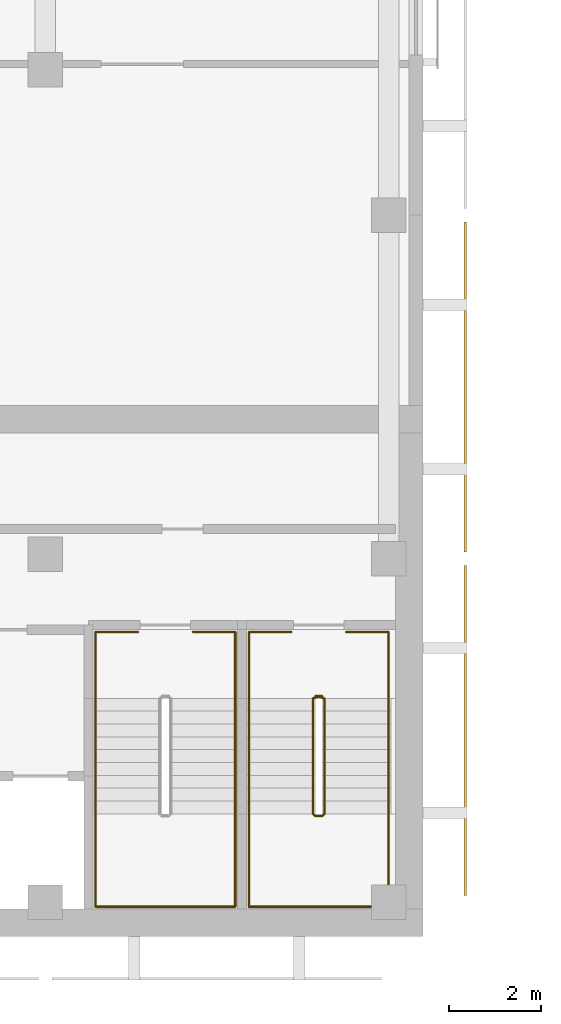
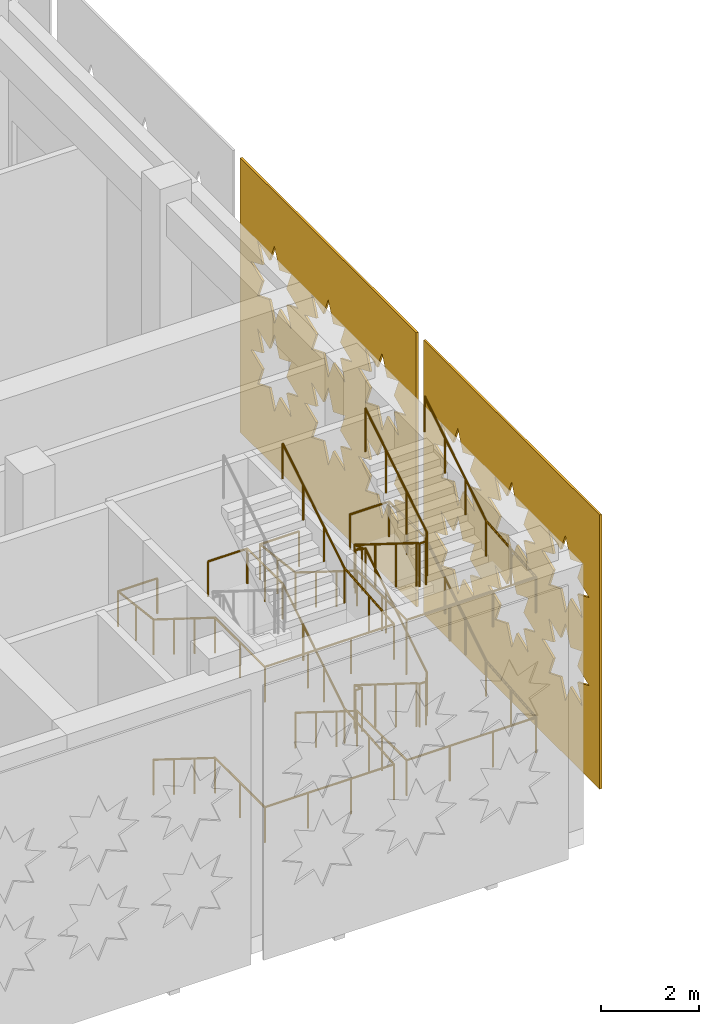
# One storey, part 32 of 42: 5 railings, 2 coverings.
"""IFC4 building model written with IfcOpenShell, lengths in metres."""

from ifc_helpers import new_model, si_unit, direction, frame, origin, origin_2d, place, context, subcontext, project, spatial, polyline, circle, outline, extrude, material, layer, layer_set, type_object, element, save


model = new_model("IFC4")

# Units and contexts
model_context = context("Model", 3, precision=1e-05, world=origin(), true_north=direction((0.0, 1.0)))
body_context = subcontext(model_context, "Body", "Model", "MODEL_VIEW")
ifc_project = project(units=[si_unit("LENGTHUNIT", "METRE"), si_unit("AREAUNIT", "SQUARE_METRE"), si_unit("VOLUMEUNIT", "CUBIC_METRE"), si_unit("PLANEANGLEUNIT", "RADIAN"), si_unit("MASSUNIT", "GRAM", prefix="KILO")], contexts=[model_context])

# Site, building, storey
site_placement = place(None, origin())
site = spatial("IfcSite", under=ifc_project, at=site_placement, CompositionType="ELEMENT")
building_placement = place(site_placement, origin())
building = spatial("IfcBuilding", under=site, at=building_placement, Name="Tessera Arch", CompositionType="ELEMENT")
storey_placement = place(building_placement, frame((0.0, 0.0, 14.0)))
storey = spatial("IfcBuildingStorey", under=building, at=storey_placement, Name="L02", CompositionType="ELEMENT", Elevation=14.0)

# Coverings
ifc_material_1 = material(Name="Anodised aluminium pale metal", Category="aluminium")
ifc_layer = layer(ifc_material_1, 0.050048828125)
ifc_layer_set = layer_set([ifc_layer], Name="Museum lattice skin panel")
covering_type = type_object("IfcCoveringType", Name="Museum lattice skin panel", PredefinedType="CLADDING", material=ifc_layer_set)
covering_1_placement = place(storey_placement, frame((14.85009765625, -31.64990234375, 6.949951171875), z_axis=(-1.0, 0.0, 0.0), x_axis=(0.0, 1.0, 0.0)))
element("IfcCovering", 1, at=covering_1_placement, inside=storey, type_object=covering_type, Name="Museum lattice skin L02 2-2", PredefinedType="CLADDING", context=body_context, shape_type="SweptSolid", body=[
    extrude(outline(polyline([(0.0, 0.0), (7.199951171875, 0.0), (7.199951171875, 6.849853515625), (0.0, 6.849853515625), (0.0, 0.0)]), holes=[polyline([(2.367919921875, 4.52490234375), (1.887939453125, 4.322998046875), (2.083984375, 3.841064453125), (1.601806640625, 4.036865234375), (1.39990234375, 3.556884765625), (1.197998046875, 4.036865234375), (0.7158203125, 3.841064453125), (0.911865234375, 4.322998046875), (0.431884765625, 4.52490234375), (0.911865234375, 4.72705078125), (0.7158203125, 5.208984375), (1.197998046875, 5.012939453125), (1.39990234375, 5.492919921875), (1.601806640625, 5.012939453125), (2.083984375, 5.208984375), (1.887939453125, 4.72705078125), (2.367919921875, 4.52490234375)]), polyline([(2.367919921875, 2.324951171875), (1.887939453125, 2.123046875), (2.083984375, 1.640869140625), (1.601806640625, 1.8369140625), (1.39990234375, 1.35693359375), (1.197998046875, 1.8369140625), (0.7158203125, 1.640869140625), (0.911865234375, 2.123046875), (0.431884765625, 2.324951171875), (0.911865234375, 2.52685546875), (0.7158203125, 3.009033203125), (1.197998046875, 2.81298828125), (1.39990234375, 3.29296875), (1.601806640625, 2.81298828125), (2.083984375, 3.009033203125), (1.887939453125, 2.52685546875), (2.367919921875, 2.324951171875)]), polyline([(4.56787109375, 4.52490234375), (4.087890625, 4.322998046875), (4.283935546875, 3.841064453125), (3.802001953125, 4.036865234375), (3.599853515625, 3.556884765625), (3.39794921875, 4.036865234375), (2.916015625, 3.841064453125), (3.11181640625, 4.322998046875), (2.6318359375, 4.52490234375), (3.11181640625, 4.72705078125), (2.916015625, 5.208984375), (3.39794921875, 5.012939453125), (3.599853515625, 5.492919921875), (3.802001953125, 5.012939453125), (4.283935546875, 5.208984375), (4.087890625, 4.72705078125), (4.56787109375, 4.52490234375)]), polyline([(4.56787109375, 2.324951171875), (4.087890625, 2.123046875), (4.283935546875, 1.640869140625), (3.802001953125, 1.8369140625), (3.599853515625, 1.35693359375), (3.39794921875, 1.8369140625), (2.916015625, 1.640869140625), (3.11181640625, 2.123046875), (2.6318359375, 2.324951171875), (3.11181640625, 2.52685546875), (2.916015625, 3.009033203125), (3.39794921875, 2.81298828125), (3.599853515625, 3.29296875), (3.802001953125, 2.81298828125), (4.283935546875, 3.009033203125), (4.087890625, 2.52685546875), (4.56787109375, 2.324951171875)]), polyline([(6.767822265625, 4.52490234375), (6.287841796875, 4.322998046875), (6.48388671875, 3.841064453125), (6.001953125, 4.036865234375), (5.7998046875, 3.556884765625), (5.597900390625, 4.036865234375), (5.115966796875, 3.841064453125), (5.31201171875, 4.322998046875), (4.831787109375, 4.52490234375), (5.31201171875, 4.72705078125), (5.115966796875, 5.208984375), (5.597900390625, 5.012939453125), (5.7998046875, 5.492919921875), (6.001953125, 5.012939453125), (6.48388671875, 5.208984375), (6.287841796875, 4.72705078125), (6.767822265625, 4.52490234375)]), polyline([(6.767822265625, 2.324951171875), (6.287841796875, 2.123046875), (6.48388671875, 1.640869140625), (6.001953125, 1.8369140625), (5.7998046875, 1.35693359375), (5.597900390625, 1.8369140625), (5.115966796875, 1.640869140625), (5.31201171875, 2.123046875), (4.831787109375, 2.324951171875), (5.31201171875, 2.52685546875), (5.115966796875, 3.009033203125), (5.597900390625, 2.81298828125), (5.7998046875, 3.29296875), (6.001953125, 2.81298828125), (6.48388671875, 3.009033203125), (6.287841796875, 2.52685546875), (6.767822265625, 2.324951171875)])]), origin(), (0.0, 0.0, -1.0), 0.050048828125),
])
covering_2_placement = place(storey_placement, frame((14.85009765625, -24.14990234375, 6.949951171875), z_axis=(-1.0, 0.0, 0.0), x_axis=(0.0, 1.0, 0.0)))
element("IfcCovering", 2, at=covering_2_placement, inside=storey, type_object=covering_type, Name="Museum lattice skin L02 2-3", PredefinedType="CLADDING", context=body_context, shape_type="SweptSolid", body=[
    extrude(outline(polyline([(0.0, 0.0), (7.199951171875, 0.0), (7.199951171875, 6.849853515625), (0.0, 6.849853515625), (0.0, 0.0)]), holes=[polyline([(2.367919921875, 4.52490234375), (1.887939453125, 4.322998046875), (2.083984375, 3.841064453125), (1.601806640625, 4.036865234375), (1.39990234375, 3.556884765625), (1.197998046875, 4.036865234375), (0.7158203125, 3.841064453125), (0.911865234375, 4.322998046875), (0.431884765625, 4.52490234375), (0.911865234375, 4.72705078125), (0.7158203125, 5.208984375), (1.197998046875, 5.012939453125), (1.39990234375, 5.492919921875), (1.601806640625, 5.012939453125), (2.083984375, 5.208984375), (1.887939453125, 4.72705078125), (2.367919921875, 4.52490234375)]), polyline([(2.367919921875, 2.324951171875), (1.887939453125, 2.123046875), (2.083984375, 1.640869140625), (1.601806640625, 1.8369140625), (1.39990234375, 1.35693359375), (1.197998046875, 1.8369140625), (0.7158203125, 1.640869140625), (0.911865234375, 2.123046875), (0.431884765625, 2.324951171875), (0.911865234375, 2.52685546875), (0.7158203125, 3.009033203125), (1.197998046875, 2.81298828125), (1.39990234375, 3.29296875), (1.601806640625, 2.81298828125), (2.083984375, 3.009033203125), (1.887939453125, 2.52685546875), (2.367919921875, 2.324951171875)]), polyline([(4.56787109375, 4.52490234375), (4.087890625, 4.322998046875), (4.283935546875, 3.841064453125), (3.802001953125, 4.036865234375), (3.599853515625, 3.556884765625), (3.39794921875, 4.036865234375), (2.916015625, 3.841064453125), (3.11181640625, 4.322998046875), (2.6318359375, 4.52490234375), (3.11181640625, 4.72705078125), (2.916015625, 5.208984375), (3.39794921875, 5.012939453125), (3.599853515625, 5.492919921875), (3.802001953125, 5.012939453125), (4.283935546875, 5.208984375), (4.087890625, 4.72705078125), (4.56787109375, 4.52490234375)]), polyline([(4.56787109375, 2.324951171875), (4.087890625, 2.123046875), (4.283935546875, 1.640869140625), (3.802001953125, 1.8369140625), (3.599853515625, 1.35693359375), (3.39794921875, 1.8369140625), (2.916015625, 1.640869140625), (3.11181640625, 2.123046875), (2.6318359375, 2.324951171875), (3.11181640625, 2.52685546875), (2.916015625, 3.009033203125), (3.39794921875, 2.81298828125), (3.599853515625, 3.29296875), (3.802001953125, 2.81298828125), (4.283935546875, 3.009033203125), (4.087890625, 2.52685546875), (4.56787109375, 2.324951171875)]), polyline([(6.767822265625, 4.52490234375), (6.287841796875, 4.322998046875), (6.48388671875, 3.841064453125), (6.001953125, 4.036865234375), (5.7998046875, 3.556884765625), (5.597900390625, 4.036865234375), (5.115966796875, 3.841064453125), (5.31201171875, 4.322998046875), (4.831787109375, 4.52490234375), (5.31201171875, 4.72705078125), (5.115966796875, 5.208984375), (5.597900390625, 5.012939453125), (5.7998046875, 5.492919921875), (6.001953125, 5.012939453125), (6.48388671875, 5.208984375), (6.287841796875, 4.72705078125), (6.767822265625, 4.52490234375)]), polyline([(6.767822265625, 2.324951171875), (6.287841796875, 2.123046875), (6.48388671875, 1.640869140625), (6.001953125, 1.8369140625), (5.7998046875, 1.35693359375), (5.597900390625, 1.8369140625), (5.115966796875, 1.640869140625), (5.31201171875, 2.123046875), (4.831787109375, 2.324951171875), (5.31201171875, 2.52685546875), (5.115966796875, 3.009033203125), (5.597900390625, 2.81298828125), (5.7998046875, 3.29296875), (6.001953125, 2.81298828125), (6.48388671875, 3.009033203125), (6.287841796875, 2.52685546875), (6.767822265625, 2.324951171875)])]), origin(), (0.0, 0.0, -1.0), 0.050048828125),
])

# Railings
ifc_material_2 = material(Name="Painted steel balustrade", Category="steel")
railing_type_1 = type_object("IfcRailingType", Name="Stair guard 1100", PredefinedType="GUARDRAIL", material=ifc_material_2)
railing_1_placement = place(storey_placement, frame((11.60009765625, -27.300048828125, 0.0)))
element("IfcRailing", 3, at=railing_1_placement, inside=storey, type_object=railing_type_1, Name="L02 M3a stair guard 1", PredefinedType="GUARDRAIL", context=body_context, shape_type="SweptSolid", body=[
    extrude(circle(Radius=0.02392578125, at=origin_2d()), frame((-0.00390625, 0.0, 1.076171875), z_axis=(1.0, 0.0, 0.0), x_axis=(0.0, 1.0, 0.0)), (0.0, 0.0, 1.0), 0.157958984375),
    extrude(circle(Radius=0.02392578125, at=origin_2d()), frame((0.15283203125, 0.000732421875, 1.073486328125), z_axis=(-0.739407315901, -0.185077533284, 0.647319957877), x_axis=(0.242814311512, -0.970072785993, 0.0)), (0.0, 0.0, 1.0), 0.2783203125),
    extrude(circle(Radius=0.02392578125, at=origin_2d()), frame((-0.050048828125, -0.046630859375, 1.2490234375), z_axis=(0.0, -0.848007534815, 0.529984170421), x_axis=(1.0, 0.0, 0.0)), (0.0, 0.0, 1.0), 2.979736328125),
    extrude(circle(Radius=0.02392578125, at=origin_2d()), frame((-0.052978515625, -2.567138671875, 2.826171875), z_axis=(0.708833529934, -0.705375805398, 0.0), x_axis=(0.705375805398, 0.708833529934, 0.0)), (0.0, 0.0, 1.0), 0.07861328125),
    extrude(circle(Radius=0.02392578125, at=origin_2d()), frame((-0.00390625, -2.619873046875, 2.826171875), z_axis=(1.0, 0.0, 0.0), x_axis=(0.0, 1.0, 0.0)), (0.0, 0.0, 1.0), 0.157958984375),
    extrude(circle(Radius=0.02392578125, at=origin_2d()), frame((0.14892578125, -2.620849609375, 2.822265625), z_axis=(0.265155923931, 0.263862480399, 0.927399011991), x_axis=(-0.705375805398, 0.708833529934, 0.0)), (0.0, 0.0, 1.0), 0.19677734375),
    extrude(circle(Radius=0.02392578125, at=origin_2d()), frame((0.199951171875, -2.573486328125, 2.9990234375), z_axis=(0.0, 0.848007534815, 0.529984170421), x_axis=(-1.0, 0.0, 0.0)), (0.0, 0.0, 1.0), 2.979736328125),
    extrude(circle(Radius=0.02392578125, at=origin_2d()), frame((0.203857421875, -0.051025390625, 4.576171875), z_axis=(-0.970072785993, 0.242814311512, 0.0), x_axis=(-0.242814311512, -0.970072785993, 0.0)), (0.0, 0.0, 1.0), 0.214111328125),
    extrude(circle(Radius=0.02392578125, at=origin_2d()), frame((-0.00390625, 0.0, 4.576171875), z_axis=(1.0, 0.0, 0.0), x_axis=(0.0, 1.0, 0.0)), (0.0, 0.0, 1.0), 0.157958984375),
    extrude(circle(Radius=0.02392578125, at=origin_2d()), frame((0.15283203125, 0.000732421875, 4.573486328125), z_axis=(-0.739407315901, -0.185077533284, 0.647319957877), x_axis=(0.242814311512, -0.970072785993, 0.0)), (0.0, 0.0, 1.0), 0.2783203125),
    extrude(circle(Radius=0.02392578125, at=origin_2d()), frame((-0.050048828125, -0.046630859375, 4.7490234375), z_axis=(0.0, -0.848007534815, 0.529984170421), x_axis=(1.0, 0.0, 0.0)), (0.0, 0.0, 1.0), 2.979736328125),
    extrude(circle(Radius=0.02392578125, at=origin_2d()), frame((-0.052978515625, -2.567138671875, 6.326171875), z_axis=(0.708833529934, -0.705375805398, 0.0), x_axis=(0.705375805398, 0.708833529934, 0.0)), (0.0, 0.0, 1.0), 0.07861328125),
    extrude(circle(Radius=0.02392578125, at=origin_2d()), frame((-0.00390625, -2.619873046875, 6.326171875), z_axis=(1.0, 0.0, 0.0), x_axis=(0.0, 1.0, 0.0)), (0.0, 0.0, 1.0), 0.157958984375),
    extrude(circle(Radius=0.02392578125, at=origin_2d()), frame((0.14892578125, -2.620849609375, 6.322265625), z_axis=(0.265155923931, 0.263862480399, 0.927399011991), x_axis=(-0.705375805398, 0.708833529934, 0.0)), (0.0, 0.0, 1.0), 0.19677734375),
    extrude(circle(Radius=0.02392578125, at=origin_2d()), frame((0.199951171875, -2.573486328125, 6.4990234375), z_axis=(0.0, 0.848007534815, 0.529984170421), x_axis=(-1.0, 0.0, 0.0)), (0.0, 0.0, 1.0), 2.979736328125),
    extrude(circle(Radius=0.02099609375, at=origin_2d()), origin(), (0.0, 0.0, 1.0), 1.06396484375),
    extrude(circle(Radius=0.02099609375, at=origin_2d()), frame((0.14990234375, 0.0, 0.0)), (0.0, 0.0, 1.0), 1.06396484375),
    extrude(circle(Radius=0.02099609375, at=origin_2d()), frame((-0.050048828125, -0.050048828125, 0.175048828125)), (0.0, 0.0, 1.0), 1.06396484375),
    extrude(circle(Radius=0.02099609375, at=origin_2d()), frame((-0.050048828125, -0.89013671875, 0.699951171875)), (0.0, 0.0, 1.0), 1.06396484375),
    extrude(circle(Radius=0.02099609375, at=origin_2d()), frame((-0.050048828125, -1.72998046875, 1.22509765625)), (0.0, 0.0, 1.0), 1.06396484375),
    extrude(circle(Radius=0.02099609375, at=origin_2d()), frame((-0.050048828125, -2.570068359375, 1.75)), (0.0, 0.0, 1.0), 1.06396484375),
    extrude(circle(Radius=0.02099609375, at=origin_2d()), frame((0.0, -2.619873046875, 1.75)), (0.0, 0.0, 1.0), 1.06396484375),
    extrude(circle(Radius=0.02099609375, at=origin_2d()), frame((0.14990234375, -2.619873046875, 1.75)), (0.0, 0.0, 1.0), 1.06396484375),
    extrude(circle(Radius=0.02099609375, at=origin_2d()), frame((0.199951171875, -2.570068359375, 1.925048828125)), (0.0, 0.0, 1.0), 1.06396484375),
    extrude(circle(Radius=0.02099609375, at=origin_2d()), frame((0.199951171875, -1.72998046875, 2.449951171875)), (0.0, 0.0, 1.0), 1.06396484375),
    extrude(circle(Radius=0.02099609375, at=origin_2d()), frame((0.199951171875, -0.89013671875, 2.97509765625)), (0.0, 0.0, 1.0), 1.06396484375),
    extrude(circle(Radius=0.02099609375, at=origin_2d()), frame((0.199951171875, -0.050048828125, 3.5)), (0.0, 0.0, 1.0), 1.06396484375),
    extrude(circle(Radius=0.02099609375, at=origin_2d()), frame((0.0, 0.0, 3.5)), (0.0, 0.0, 1.0), 1.06396484375),
    extrude(circle(Radius=0.02099609375, at=origin_2d()), frame((0.14990234375, 0.0, 3.5)), (0.0, 0.0, 1.0), 1.06396484375),
    extrude(circle(Radius=0.02099609375, at=origin_2d()), frame((-0.050048828125, -0.050048828125, 3.675048828125)), (0.0, 0.0, 1.0), 1.06396484375),
    extrude(circle(Radius=0.02099609375, at=origin_2d()), frame((-0.050048828125, -0.89013671875, 4.199951171875)), (0.0, 0.0, 1.0), 1.06396484375),
    extrude(circle(Radius=0.02099609375, at=origin_2d()), frame((-0.050048828125, -1.72998046875, 4.72509765625)), (0.0, 0.0, 1.0), 1.06396484375),
    extrude(circle(Radius=0.02099609375, at=origin_2d()), frame((-0.050048828125, -2.570068359375, 5.25)), (0.0, 0.0, 1.0), 1.06396484375),
    extrude(circle(Radius=0.02099609375, at=origin_2d()), frame((0.0, -2.619873046875, 5.25)), (0.0, 0.0, 1.0), 1.06396484375),
    extrude(circle(Radius=0.02099609375, at=origin_2d()), frame((0.14990234375, -2.619873046875, 5.25)), (0.0, 0.0, 1.0), 1.06396484375),
    extrude(circle(Radius=0.02099609375, at=origin_2d()), frame((0.199951171875, -2.570068359375, 5.425048828125)), (0.0, 0.0, 1.0), 1.06396484375),
    extrude(circle(Radius=0.02099609375, at=origin_2d()), frame((0.199951171875, -1.72998046875, 5.949951171875)), (0.0, 0.0, 1.0), 1.06396484375),
    extrude(circle(Radius=0.02099609375, at=origin_2d()), frame((0.199951171875, -0.89013671875, 6.47509765625)), (0.0, 0.0, 1.0), 1.06396484375),
    extrude(circle(Radius=0.02099609375, at=origin_2d()), frame((0.199951171875, -0.050048828125, 7.0)), (0.0, 0.0, 1.0), 1.06396484375),
])
ifc_material_3 = material(Name="Painted steel handrail", Category="steel")
railing_type_2 = type_object("IfcRailingType", Name="Stair handrail 900", PredefinedType="HANDRAIL", material=ifc_material_3)
railing_2_placement = place(storey_placement, frame((10.14990234375, -27.35009765625, 0.175048828125)))
element("IfcRailing", 4, at=railing_2_placement, inside=storey, type_object=railing_type_2, Name="L02 M3a stair handrail", PredefinedType="HANDRAIL", context=body_context, shape_type="SweptSolid", body=[
    extrude(circle(Radius=0.02392578125, at=origin_2d()), frame((0.0, 0.00341796875, 0.873779296875), z_axis=(0.0, -0.848007534815, 0.529984170421), x_axis=(1.0, 0.0, 0.0)), (0.0, 0.0, 1.0), 2.979736328125),
    extrude(circle(Radius=0.02392578125, at=origin_2d()), frame((0.0, -2.51611328125, 2.45068359375), z_axis=(0.0, -1.0, 0.0), x_axis=(1.0, 0.0, 0.0)), (0.0, 0.0, 1.0), 2.037841796875),
    extrude(circle(Radius=0.02392578125, at=origin_2d()), frame((-0.00390625, -4.5498046875, 2.45068359375), z_axis=(1.0, 0.0, 0.0), x_axis=(0.0, 1.0, 0.0)), (0.0, 0.0, 1.0), 3.05810546875),
    extrude(circle(Radius=0.02392578125, at=origin_2d()), frame((3.050048828125, -4.5537109375, 2.450439453125), z_axis=(0.0, 0.996301939653, 0.08592115597), x_axis=(-1.0, 0.0, 0.0)), (0.0, 0.0, 1.0), 2.04541015625),
    extrude(circle(Radius=0.02392578125, at=origin_2d()), frame((3.050048828125, -2.5234375, 2.623779296875), z_axis=(0.0, 0.848007534815, 0.529984170421), x_axis=(-1.0, 0.0, 0.0)), (0.0, 0.0, 1.0), 2.979736328125),
    extrude(circle(Radius=0.02392578125, at=origin_2d()), frame((3.050048828125, -0.00390625, 4.20068359375), z_axis=(0.0, 1.0, 0.0), x_axis=(-1.0, 0.0, 0.0)), (0.0, 0.0, 1.0), 1.458251953125),
    extrude(circle(Radius=0.02392578125, at=origin_2d()), frame((3.053955078125, 1.4501953125, 4.20068359375), z_axis=(-1.0, 0.0, 0.0), x_axis=(0.0, -1.0, 0.0)), (0.0, 0.0, 1.0), 0.93310546875),
    extrude(circle(Radius=0.02099609375, at=origin_2d()), origin(), (0.0, 0.0, 1.0), 0.86376953125),
    extrude(circle(Radius=0.02099609375, at=origin_2d()), frame((0.0, -0.840087890625, 0.52490234375)), (0.0, 0.0, 1.0), 0.86376953125),
    extrude(circle(Radius=0.02099609375, at=origin_2d()), frame((0.0, -1.679931640625, 1.050048828125)), (0.0, 0.0, 1.0), 0.86376953125),
    extrude(circle(Radius=0.02099609375, at=origin_2d()), frame((0.0, -2.52001953125, 1.574951171875)), (0.0, 0.0, 1.0), 0.86376953125),
    extrude(circle(Radius=0.02099609375, at=origin_2d()), frame((0.0, -3.534912109375, 1.574951171875)), (0.0, 0.0, 1.0), 0.86376953125),
    extrude(circle(Radius=0.02099609375, at=origin_2d()), frame((0.0, -4.5498046875, 1.574951171875)), (0.0, 0.0, 1.0), 0.86376953125),
    extrude(circle(Radius=0.02099609375, at=origin_2d()), frame((1.0166015625, -4.5498046875, 1.574951171875)), (0.0, 0.0, 1.0), 0.86376953125),
    extrude(circle(Radius=0.02099609375, at=origin_2d()), frame((2.033447265625, -4.5498046875, 1.574951171875)), (0.0, 0.0, 1.0), 0.86376953125),
    extrude(circle(Radius=0.02099609375, at=origin_2d()), frame((3.050048828125, -4.5498046875, 1.574951171875)), (0.0, 0.0, 1.0), 0.86376953125),
    extrude(circle(Radius=0.02099609375, at=origin_2d()), frame((3.050048828125, -3.534912109375, 1.66259765625)), (0.0, 0.0, 1.0), 0.86376953125),
    extrude(circle(Radius=0.02099609375, at=origin_2d()), frame((3.050048828125, -2.52001953125, 1.75)), (0.0, 0.0, 1.0), 0.86376953125),
    extrude(circle(Radius=0.02099609375, at=origin_2d()), frame((3.050048828125, -1.679931640625, 2.27490234375)), (0.0, 0.0, 1.0), 0.86376953125),
    extrude(circle(Radius=0.02099609375, at=origin_2d()), frame((3.050048828125, -0.840087890625, 2.800048828125)), (0.0, 0.0, 1.0), 0.86376953125),
    extrude(circle(Radius=0.02099609375, at=origin_2d()), frame((3.050048828125, 0.0, 3.324951171875)), (0.0, 0.0, 1.0), 0.86376953125),
    extrude(circle(Radius=0.02099609375, at=origin_2d()), frame((3.050048828125, 0.72509765625, 3.324951171875)), (0.0, 0.0, 1.0), 0.86376953125),
    extrude(circle(Radius=0.02099609375, at=origin_2d()), frame((3.050048828125, 1.4501953125, 3.324951171875)), (0.0, 0.0, 1.0), 0.86376953125),
    extrude(circle(Radius=0.02099609375, at=origin_2d()), frame((2.125, 1.4501953125, 3.324951171875)), (0.0, 0.0, 1.0), 0.86376953125),
])
railing_3_placement = place(storey_placement, frame((11.074951171875, -25.89990234375, 3.5)))
element("IfcRailing", 5, at=railing_3_placement, inside=storey, type_object=railing_type_2, Name="L02 M3a stair handrail 2", PredefinedType="HANDRAIL", context=body_context, shape_type="SweptSolid", body=[
    extrude(circle(Radius=0.02392578125, at=origin_2d()), frame((0.00390625, 0.0, 0.8759765625), z_axis=(-1.0, 0.0, 0.0), x_axis=(0.0, -1.0, 0.0)), (0.0, 0.0, 1.0), 0.93310546875),
    extrude(circle(Radius=0.02392578125, at=origin_2d()), frame((-0.925048828125, 0.00390625, 0.87548828125), z_axis=(0.0, -0.992793556095, 0.119837201973), x_axis=(1.0, 0.0, 0.0)), (0.0, 0.0, 1.0), 1.46875),
    extrude(circle(Radius=0.02392578125, at=origin_2d()), frame((-0.925048828125, -1.44677734375, 1.048828125), z_axis=(0.0, -0.848007534815, 0.529984170421), x_axis=(1.0, 0.0, 0.0)), (0.0, 0.0, 1.0), 2.979736328125),
    extrude(circle(Radius=0.02392578125, at=origin_2d()), frame((-0.925048828125, -3.96630859375, 2.6259765625), z_axis=(0.0, -1.0, 0.0), x_axis=(1.0, 0.0, 0.0)), (0.0, 0.0, 1.0), 2.037841796875),
    extrude(circle(Radius=0.02392578125, at=origin_2d()), frame((-0.928955078125, -6.0, 2.6259765625), z_axis=(1.0, 0.0, 0.0), x_axis=(0.0, 1.0, 0.0)), (0.0, 0.0, 1.0), 3.05810546875),
    extrude(circle(Radius=0.02392578125, at=origin_2d()), frame((2.125, -6.00390625, 2.62548828125), z_axis=(0.0, 0.996301939653, 0.08592115597), x_axis=(-1.0, 0.0, 0.0)), (0.0, 0.0, 1.0), 2.04541015625),
    extrude(circle(Radius=0.02392578125, at=origin_2d()), frame((2.125, -3.9736328125, 2.798828125), z_axis=(0.0, 0.848007534815, 0.529984170421), x_axis=(-1.0, 0.0, 0.0)), (0.0, 0.0, 1.0), 2.979736328125),
    extrude(circle(Radius=0.02099609375, at=origin_2d()), origin(), (0.0, 0.0, 1.0), 0.86376953125),
    extrude(circle(Radius=0.02099609375, at=origin_2d()), frame((-0.925048828125, 0.0, 0.0)), (0.0, 0.0, 1.0), 0.86376953125),
    extrude(circle(Radius=0.02099609375, at=origin_2d()), frame((-0.925048828125, -0.72509765625, 0.08740234375)), (0.0, 0.0, 1.0), 0.86376953125),
    extrude(circle(Radius=0.02099609375, at=origin_2d()), frame((-0.925048828125, -1.4501953125, 0.175048828125)), (0.0, 0.0, 1.0), 0.86376953125),
    extrude(circle(Radius=0.02099609375, at=origin_2d()), frame((-0.925048828125, -2.290283203125, 0.699951171875)), (0.0, 0.0, 1.0), 0.86376953125),
    extrude(circle(Radius=0.02099609375, at=origin_2d()), frame((-0.925048828125, -3.130126953125, 1.22509765625)), (0.0, 0.0, 1.0), 0.86376953125),
    extrude(circle(Radius=0.02099609375, at=origin_2d()), frame((-0.925048828125, -3.97021484375, 1.75)), (0.0, 0.0, 1.0), 0.86376953125),
    extrude(circle(Radius=0.02099609375, at=origin_2d()), frame((-0.925048828125, -4.985107421875, 1.75)), (0.0, 0.0, 1.0), 0.86376953125),
    extrude(circle(Radius=0.02099609375, at=origin_2d()), frame((-0.925048828125, -6.0, 1.75)), (0.0, 0.0, 1.0), 0.86376953125),
    extrude(circle(Radius=0.02099609375, at=origin_2d()), frame((0.091552734375, -6.0, 1.75)), (0.0, 0.0, 1.0), 0.86376953125),
    extrude(circle(Radius=0.02099609375, at=origin_2d()), frame((1.1083984375, -6.0, 1.75)), (0.0, 0.0, 1.0), 0.86376953125),
    extrude(circle(Radius=0.02099609375, at=origin_2d()), frame((2.125, -6.0, 1.75)), (0.0, 0.0, 1.0), 0.86376953125),
    extrude(circle(Radius=0.02099609375, at=origin_2d()), frame((2.125, -4.985107421875, 1.83740234375)), (0.0, 0.0, 1.0), 0.86376953125),
    extrude(circle(Radius=0.02099609375, at=origin_2d()), frame((2.125, -3.97021484375, 1.925048828125)), (0.0, 0.0, 1.0), 0.86376953125),
    extrude(circle(Radius=0.02099609375, at=origin_2d()), frame((2.125, -3.130126953125, 2.449951171875)), (0.0, 0.0, 1.0), 0.86376953125),
    extrude(circle(Radius=0.02099609375, at=origin_2d()), frame((2.125, -2.290283203125, 2.97509765625)), (0.0, 0.0, 1.0), 0.86376953125),
    extrude(circle(Radius=0.02099609375, at=origin_2d()), frame((2.125, -1.4501953125, 3.5)), (0.0, 0.0, 1.0), 0.86376953125),
])
railing_4_placement = place(storey_placement, frame((6.800048828125, -27.35009765625, 0.175048828125)))
element("IfcRailing", 6, at=railing_4_placement, inside=storey, type_object=railing_type_2, Name="L02 M3b stair handrail", PredefinedType="HANDRAIL", context=body_context, shape_type="SweptSolid", body=[
    extrude(circle(Radius=0.02392578125, at=origin_2d()), frame((0.0, 0.00341796875, 0.873779296875), z_axis=(0.0, -0.848007534815, 0.529984170421), x_axis=(1.0, 0.0, 0.0)), (0.0, 0.0, 1.0), 2.979736328125),
    extrude(circle(Radius=0.02392578125, at=origin_2d()), frame((0.0, -2.51611328125, 2.45068359375), z_axis=(0.0, -1.0, 0.0), x_axis=(1.0, 0.0, 0.0)), (0.0, 0.0, 1.0), 2.037841796875),
    extrude(circle(Radius=0.02392578125, at=origin_2d()), frame((-0.00390625, -4.5498046875, 2.45068359375), z_axis=(1.0, 0.0, 0.0), x_axis=(0.0, 1.0, 0.0)), (0.0, 0.0, 1.0), 3.05810546875),
    extrude(circle(Radius=0.02392578125, at=origin_2d()), frame((3.050048828125, -4.5537109375, 2.450439453125), z_axis=(0.0, 0.996301939653, 0.08592115597), x_axis=(-1.0, 0.0, 0.0)), (0.0, 0.0, 1.0), 2.04541015625),
    extrude(circle(Radius=0.02392578125, at=origin_2d()), frame((3.050048828125, -2.5234375, 2.623779296875), z_axis=(0.0, 0.848007534815, 0.529984170421), x_axis=(-1.0, 0.0, 0.0)), (0.0, 0.0, 1.0), 2.979736328125),
    extrude(circle(Radius=0.02392578125, at=origin_2d()), frame((3.050048828125, -0.00390625, 4.20068359375), z_axis=(0.0, 1.0, 0.0), x_axis=(-1.0, 0.0, 0.0)), (0.0, 0.0, 1.0), 1.458251953125),
    extrude(circle(Radius=0.02392578125, at=origin_2d()), frame((3.053955078125, 1.4501953125, 4.20068359375), z_axis=(-1.0, 0.0, 0.0), x_axis=(0.0, -1.0, 0.0)), (0.0, 0.0, 1.0), 0.93310546875),
    extrude(circle(Radius=0.02099609375, at=origin_2d()), origin(), (0.0, 0.0, 1.0), 0.86376953125),
    extrude(circle(Radius=0.02099609375, at=origin_2d()), frame((0.0, -0.840087890625, 0.52490234375)), (0.0, 0.0, 1.0), 0.86376953125),
    extrude(circle(Radius=0.02099609375, at=origin_2d()), frame((0.0, -1.679931640625, 1.050048828125)), (0.0, 0.0, 1.0), 0.86376953125),
    extrude(circle(Radius=0.02099609375, at=origin_2d()), frame((0.0, -2.52001953125, 1.574951171875)), (0.0, 0.0, 1.0), 0.86376953125),
    extrude(circle(Radius=0.02099609375, at=origin_2d()), frame((0.0, -3.534912109375, 1.574951171875)), (0.0, 0.0, 1.0), 0.86376953125),
    extrude(circle(Radius=0.02099609375, at=origin_2d()), frame((0.0, -4.5498046875, 1.574951171875)), (0.0, 0.0, 1.0), 0.86376953125),
    extrude(circle(Radius=0.02099609375, at=origin_2d()), frame((1.0166015625, -4.5498046875, 1.574951171875)), (0.0, 0.0, 1.0), 0.86376953125),
    extrude(circle(Radius=0.02099609375, at=origin_2d()), frame((2.033447265625, -4.5498046875, 1.574951171875)), (0.0, 0.0, 1.0), 0.86376953125),
    extrude(circle(Radius=0.02099609375, at=origin_2d()), frame((3.050048828125, -4.5498046875, 1.574951171875)), (0.0, 0.0, 1.0), 0.86376953125),
    extrude(circle(Radius=0.02099609375, at=origin_2d()), frame((3.050048828125, -3.534912109375, 1.66259765625)), (0.0, 0.0, 1.0), 0.86376953125),
    extrude(circle(Radius=0.02099609375, at=origin_2d()), frame((3.050048828125, -2.52001953125, 1.75)), (0.0, 0.0, 1.0), 0.86376953125),
    extrude(circle(Radius=0.02099609375, at=origin_2d()), frame((3.050048828125, -1.679931640625, 2.27490234375)), (0.0, 0.0, 1.0), 0.86376953125),
    extrude(circle(Radius=0.02099609375, at=origin_2d()), frame((3.050048828125, -0.840087890625, 2.800048828125)), (0.0, 0.0, 1.0), 0.86376953125),
    extrude(circle(Radius=0.02099609375, at=origin_2d()), frame((3.050048828125, 0.0, 3.324951171875)), (0.0, 0.0, 1.0), 0.86376953125),
    extrude(circle(Radius=0.02099609375, at=origin_2d()), frame((3.050048828125, 0.72509765625, 3.324951171875)), (0.0, 0.0, 1.0), 0.86376953125),
    extrude(circle(Radius=0.02099609375, at=origin_2d()), frame((3.050048828125, 1.4501953125, 3.324951171875)), (0.0, 0.0, 1.0), 0.86376953125),
    extrude(circle(Radius=0.02099609375, at=origin_2d()), frame((2.125, 1.4501953125, 3.324951171875)), (0.0, 0.0, 1.0), 0.86376953125),
])
railing_5_placement = place(storey_placement, frame((7.72509765625, -25.89990234375, 3.5)))
element("IfcRailing", 7, at=railing_5_placement, inside=storey, type_object=railing_type_2, Name="L02 M3b stair handrail 2", PredefinedType="HANDRAIL", context=body_context, shape_type="SweptSolid", body=[
    extrude(circle(Radius=0.02392578125, at=origin_2d()), frame((0.00390625, 0.0, 0.8759765625), z_axis=(-1.0, 0.0, 0.0), x_axis=(0.0, -1.0, 0.0)), (0.0, 0.0, 1.0), 0.93310546875),
    extrude(circle(Radius=0.02392578125, at=origin_2d()), frame((-0.925048828125, 0.00390625, 0.87548828125), z_axis=(0.0, -0.992793556095, 0.119837201973), x_axis=(1.0, 0.0, 0.0)), (0.0, 0.0, 1.0), 1.46875),
    extrude(circle(Radius=0.02392578125, at=origin_2d()), frame((-0.925048828125, -1.44677734375, 1.048828125), z_axis=(0.0, -0.848007534815, 0.529984170421), x_axis=(1.0, 0.0, 0.0)), (0.0, 0.0, 1.0), 2.979736328125),
    extrude(circle(Radius=0.02392578125, at=origin_2d()), frame((-0.925048828125, -3.96630859375, 2.6259765625), z_axis=(0.0, -1.0, 0.0), x_axis=(1.0, 0.0, 0.0)), (0.0, 0.0, 1.0), 2.037841796875),
    extrude(circle(Radius=0.02392578125, at=origin_2d()), frame((-0.928955078125, -6.0, 2.6259765625), z_axis=(1.0, 0.0, 0.0), x_axis=(0.0, 1.0, 0.0)), (0.0, 0.0, 1.0), 3.05810546875),
    extrude(circle(Radius=0.02392578125, at=origin_2d()), frame((2.125, -6.00390625, 2.62548828125), z_axis=(0.0, 0.996301939653, 0.08592115597), x_axis=(-1.0, 0.0, 0.0)), (0.0, 0.0, 1.0), 2.04541015625),
    extrude(circle(Radius=0.02392578125, at=origin_2d()), frame((2.125, -3.9736328125, 2.798828125), z_axis=(0.0, 0.848007534815, 0.529984170421), x_axis=(-1.0, 0.0, 0.0)), (0.0, 0.0, 1.0), 2.979736328125),
    extrude(circle(Radius=0.02099609375, at=origin_2d()), origin(), (0.0, 0.0, 1.0), 0.86376953125),
    extrude(circle(Radius=0.02099609375, at=origin_2d()), frame((-0.925048828125, 0.0, 0.0)), (0.0, 0.0, 1.0), 0.86376953125),
    extrude(circle(Radius=0.02099609375, at=origin_2d()), frame((-0.925048828125, -0.72509765625, 0.08740234375)), (0.0, 0.0, 1.0), 0.86376953125),
    extrude(circle(Radius=0.02099609375, at=origin_2d()), frame((-0.925048828125, -1.4501953125, 0.175048828125)), (0.0, 0.0, 1.0), 0.86376953125),
    extrude(circle(Radius=0.02099609375, at=origin_2d()), frame((-0.925048828125, -2.290283203125, 0.699951171875)), (0.0, 0.0, 1.0), 0.86376953125),
    extrude(circle(Radius=0.02099609375, at=origin_2d()), frame((-0.925048828125, -3.130126953125, 1.22509765625)), (0.0, 0.0, 1.0), 0.86376953125),
    extrude(circle(Radius=0.02099609375, at=origin_2d()), frame((-0.925048828125, -3.97021484375, 1.75)), (0.0, 0.0, 1.0), 0.86376953125),
    extrude(circle(Radius=0.02099609375, at=origin_2d()), frame((-0.925048828125, -4.985107421875, 1.75)), (0.0, 0.0, 1.0), 0.86376953125),
    extrude(circle(Radius=0.02099609375, at=origin_2d()), frame((-0.925048828125, -6.0, 1.75)), (0.0, 0.0, 1.0), 0.86376953125),
    extrude(circle(Radius=0.02099609375, at=origin_2d()), frame((0.091552734375, -6.0, 1.75)), (0.0, 0.0, 1.0), 0.86376953125),
    extrude(circle(Radius=0.02099609375, at=origin_2d()), frame((1.1083984375, -6.0, 1.75)), (0.0, 0.0, 1.0), 0.86376953125),
    extrude(circle(Radius=0.02099609375, at=origin_2d()), frame((2.125, -6.0, 1.75)), (0.0, 0.0, 1.0), 0.86376953125),
    extrude(circle(Radius=0.02099609375, at=origin_2d()), frame((2.125, -4.985107421875, 1.83740234375)), (0.0, 0.0, 1.0), 0.86376953125),
    extrude(circle(Radius=0.02099609375, at=origin_2d()), frame((2.125, -3.97021484375, 1.925048828125)), (0.0, 0.0, 1.0), 0.86376953125),
    extrude(circle(Radius=0.02099609375, at=origin_2d()), frame((2.125, -3.130126953125, 2.449951171875)), (0.0, 0.0, 1.0), 0.86376953125),
    extrude(circle(Radius=0.02099609375, at=origin_2d()), frame((2.125, -2.290283203125, 2.97509765625)), (0.0, 0.0, 1.0), 0.86376953125),
    extrude(circle(Radius=0.02099609375, at=origin_2d()), frame((2.125, -1.4501953125, 3.5)), (0.0, 0.0, 1.0), 0.86376953125),
])

save(model, "model.ifc")
